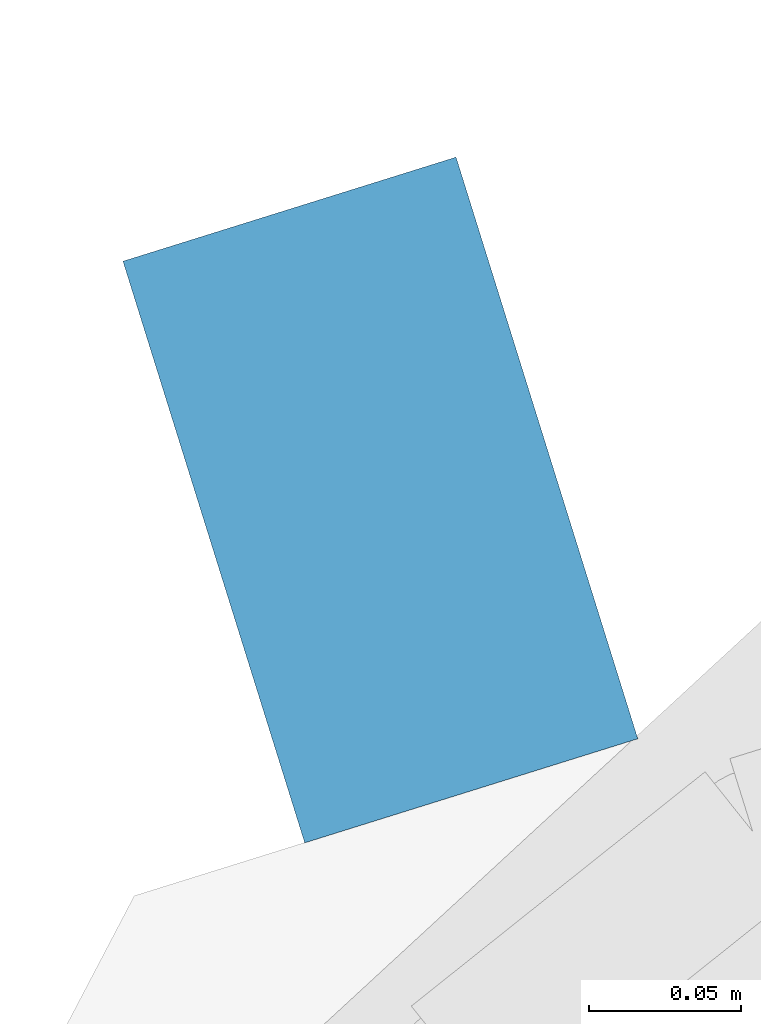
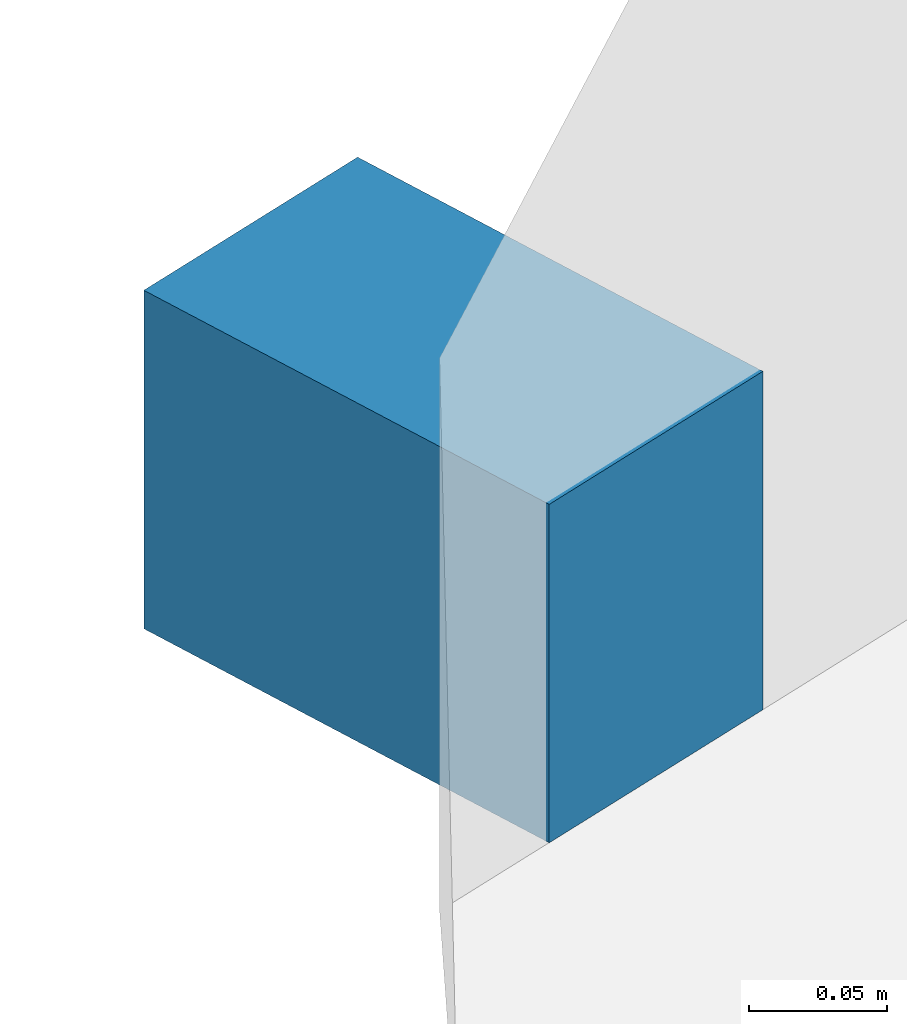
# One storey, part 16 of 31: 1 member, 1 element without a shape of its own.
"""IFC4 building model written with IfcOpenShell, lengths in metres."""

from ifc_helpers import new_model, si_unit, direction, frame, origin, origin_2d, place, context, subcontext, project, spatial, rectangle, extrude, material, material_profile, profile_set, type_object, element, aggregate, save


model = new_model("IFC4")

# Units and contexts
model_context = context("Model", 3, precision=1e-05, world=origin(), true_north=direction((0.0, 1.0)))
body_context = subcontext(model_context, "Body", "Model", "MODEL_VIEW")
ifc_project = project(units=[si_unit("LENGTHUNIT", "METRE"), si_unit("AREAUNIT", "SQUARE_METRE"), si_unit("VOLUMEUNIT", "CUBIC_METRE"), si_unit("PLANEANGLEUNIT", "RADIAN"), si_unit("MASSUNIT", "GRAM", prefix="KILO")], contexts=[model_context])

# Site, building, storey
site_placement = place(None, origin())
site = spatial("IfcSite", under=ifc_project, at=site_placement, CompositionType="ELEMENT")
building_placement = place(site_placement, origin())
building = spatial("IfcBuilding", under=site, at=building_placement, Name="Orlundy Tower", CompositionType="ELEMENT")
storey_placement = place(building_placement, frame((0.0, 0.0, 271.0)))
storey = spatial("IfcBuildingStorey", under=building, at=storey_placement, Name="L72", CompositionType="ELEMENT", Elevation=271.0)

# Curtain wall, member
ifc_material_1 = material(Name="Aluminium bronze anodised", Category="aluminium")
curtain_wall_type = type_object("IfcCurtainWallType", Name="CW4 wall", PredefinedType="NOTDEFINED", material=ifc_material_1)
curtain_wall_placement = place(storey_placement, origin())
curtain_wall = element("IfcCurtainWall", 1, at=curtain_wall_placement, inside=storey, type_object=curtain_wall_type, Name="CW4 run 011", PredefinedType="NOTDEFINED")
ifc_material_2 = material(Name="Aluminium bronze anodised", Category="aluminium")
ifc_material_profile = material_profile(ifc_material_2, rectangle(XDim=0.199951171875, YDim=0.14990234375, at=origin_2d()), Name="CW4 transom 200x150")
ifc_profile_set = profile_set([ifc_material_profile], Name="Aluminium bronze anodised")
member_type = type_object("IfcMemberType", Name="CW4 transom 200x150", PredefinedType="USERDEFINED", material=ifc_profile_set)
member_placement = place(storey_placement, frame((-20.77392578125, 25.0478515625, -0.375), z_axis=(0.954479978035, 0.298274993136, 0.0), x_axis=(-0.298274993136, 0.954479978035, 0.0)))
member = element("IfcMember", 2, at=member_placement, type_object=member_type, Name="CW4 transom", ObjectType="TRANSOM", PredefinedType="USERDEFINED", context=body_context, shape_type="SweptSolid", body=[
    extrude(rectangle(XDim=0.199951171875, YDim=0.14990234375, at=origin_2d()), origin(), (0.0, 0.0, 1.0), 0.114501953125),
])
aggregate(curtain_wall, [member])

save(model, "model.ifc")
